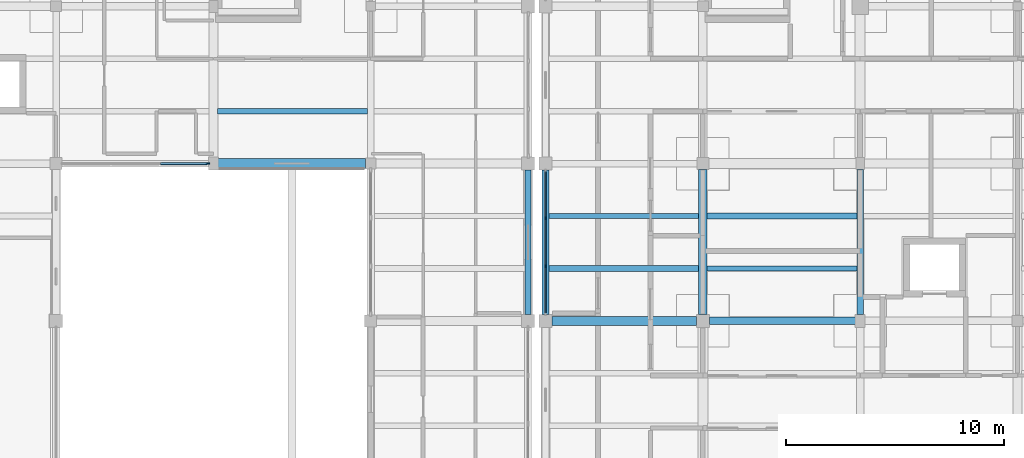
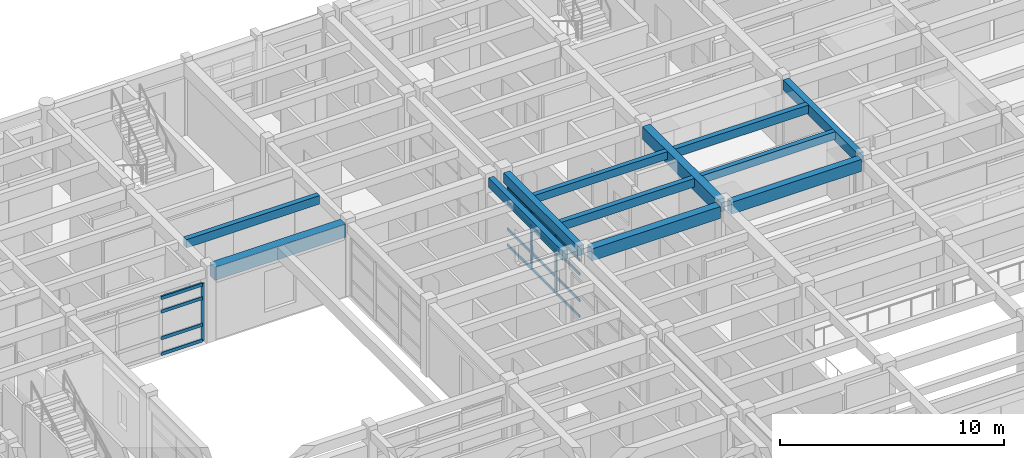
# One storey, part 40 of 110: 19 members, 12 beams, 2 elements without a shape of their own.
"""IFC4 building model written with IfcOpenShell, lengths in metres."""

import ifcopenshell
import ifcopenshell.guid

model = None  # the IFC model being written
_history = None  # IfcOwnerHistory: only IFC2X3 demands one
_inside = {}  # id of a spatial element -> (the spatial element, [elements in it])
_under = {}  # id of a project, library or spatial element -> (it, [spatial elements below it])
_declared = {}  # id of a project -> (the project, [libraries it declares])
_typed = {}  # id of a type object -> (the type object, [elements of that type])
_made_of = {}  # id of a material, layer set ... -> (it, [elements and type objects made of it])


def new_model(schema):
    """Start an empty IFC model of exactly this schema.

    Asked for "IFC4X3", IfcOpenShell would pick the latest addendum, in which some entities
    have other attributes; the version numbers below select the first issue.
    IFC2X3 requires an IfcOwnerHistory on every rooted entity: one is made here for all.
    """
    global model, _history
    if schema == "IFC4X3":
        model = ifcopenshell.file(schema_version=(4, 3, 0, 0))
    else:
        model = ifcopenshell.file(schema=schema)
    _inside.clear()
    _under.clear()
    _declared.clear()
    _typed.clear()
    _made_of.clear()
    _history = None
    if model.schema == "IFC2X3":
        org = make("IfcOrganization", Name="unknown")
        user = make(
            "IfcPersonAndOrganization",
            ThePerson=make("IfcPerson", FamilyName="unknown"),
            TheOrganization=org,
        )
        app = make(
            "IfcApplication",
            ApplicationDeveloper=org,
            Version="unknown",
            ApplicationFullName="unknown",
            ApplicationIdentifier="unknown",
        )
        _history = make(
            "IfcOwnerHistory",
            OwningUser=user,
            OwningApplication=app,
            ChangeAction="ADDED",
            CreationDate=0,
        )
    return model


def make(cls, **values):
    """One entity of the class cls with the attributes given. An attribute that is None is left unset."""
    return model.create_entity(
        cls, **{name: value for name, value in values.items() if value is not None}
    )


def rooted(cls, **values):
    """An entity with a GlobalId (a new one), such as an element, a storey or a relation."""
    return make(cls, GlobalId=ifcopenshell.guid.new(), OwnerHistory=_history, **values)


def si_unit(unit_type, name, prefix=None):
    """IfcSIUnit, for example si_unit("LENGTHUNIT", "METRE", prefix="MILLI")."""
    return make("IfcSIUnit", UnitType=unit_type, Prefix=prefix, Name=name)


def assignment(units):
    """IfcUnitAssignment: the units of a project."""
    return None if units is None else make("IfcUnitAssignment", Units=units)


def point(xyz):
    """IfcCartesianPoint."""
    return None if xyz is None else make("IfcCartesianPoint", Coordinates=xyz)


def direction(xyz):
    """IfcDirection."""
    return None if xyz is None else make("IfcDirection", DirectionRatios=xyz)


def frame(location, z_axis=None, x_axis=None):
    """IfcAxis2Placement3D, a coordinate frame: its origin and axes. An axis left out is left unset."""
    return make(
        "IfcAxis2Placement3D",
        Location=point(location),
        Axis=direction(z_axis),
        RefDirection=direction(x_axis),
    )


def frame_2d(location, x_axis=None):
    """IfcAxis2Placement2D, a coordinate frame in the plane: its origin and x axis."""
    return make(
        "IfcAxis2Placement2D", Location=point(location), RefDirection=direction(x_axis)
    )


def origin():
    """The frame at (0, 0, 0) with its axes left unset."""
    return frame((0.0, 0.0, 0.0))


def origin_2d():
    """The frame at (0, 0) in the plane with its x axis left unset."""
    return frame_2d((0.0, 0.0))


def place(relative_to, where):
    """IfcLocalPlacement: puts the frame where relative to a parent placement (None: the world)."""
    return make(
        "IfcLocalPlacement", PlacementRelTo=relative_to, RelativePlacement=where
    )


def context(
    kind, dimensions, precision=None, world=None, true_north=None, identifier=None
):
    """IfcGeometricRepresentationContext, for example the 3D "Model" context."""
    return make(
        "IfcGeometricRepresentationContext",
        ContextIdentifier=identifier,
        ContextType=kind,
        CoordinateSpaceDimension=dimensions,
        Precision=precision,
        WorldCoordinateSystem=world,
        TrueNorth=true_north,
    )


def subcontext(parent, identifier, kind, view, scale=None):
    """IfcGeometricRepresentationSubContext, for example "Body" below "Model"."""
    return make(
        "IfcGeometricRepresentationSubContext",
        ContextIdentifier=identifier,
        ContextType=kind,
        ParentContext=parent,
        TargetScale=scale,
        TargetView=view,
    )


def project(units=None, contexts=None):
    """IfcProject with its units and contexts."""
    return rooted(
        "IfcProject",
        Name="project",
        RepresentationContexts=contexts,
        UnitsInContext=assignment(units),
    )


def spatial(cls, under=None, at=None, **own):
    """A site, building, storey or space (cls), placed at a placement, below another one or the project."""
    s = rooted(cls, ObjectPlacement=at, **own)
    if under is not None:
        _under.setdefault(under.id(), (under, []))[1].append(s)
    return s


def profile(cls, at=None, kind="AREA", **sizes):
    """A parametric profile (cls). Its sizes go by their IFC names, for example OverallWidth=200.0."""
    return make(cls, ProfileType=kind, Position=at, **sizes)


def rectangle(**sizes):
    """IfcRectangleProfileDef."""
    return profile("IfcRectangleProfileDef", **sizes)


def extrude(swept, where, along, depth):
    """IfcExtrudedAreaSolid: the profile swept, set in the frame where, extruded along a direction by depth."""
    return make(
        "IfcExtrudedAreaSolid",
        SweptArea=swept,
        Position=where,
        ExtrudedDirection=direction(along),
        Depth=depth,
    )


def shape(context_of_items, identifier, shape_type, items):
    """IfcShapeRepresentation: the items that make up one representation, for example the "Body"."""
    return make(
        "IfcShapeRepresentation",
        ContextOfItems=context_of_items,
        RepresentationIdentifier=identifier,
        RepresentationType=shape_type,
        Items=items,
    )


def material(Name=None, Category=None):
    """IfcMaterial."""
    return make("IfcMaterial", Name=Name, Category=Category)


def material_profile(
    of_material, cross_section, Name=None, Category=None, Priority=None
):
    """IfcMaterialProfile: a cross section and its material."""
    return make(
        "IfcMaterialProfile",
        Name=Name,
        Material=of_material,
        Profile=cross_section,
        Priority=Priority,
        Category=Category,
    )


def profile_set(profiles, Name=None, composite=None):
    """IfcMaterialProfileSet."""
    return make(
        "IfcMaterialProfileSet",
        Name=Name,
        MaterialProfiles=profiles,
        CompositeProfile=composite,
    )


def made_of(thing, what):
    """Note that an element or type object is made of a material, layer set ...; save() writes the relation."""
    if what is not None:
        _made_of.setdefault(what.id(), (what, []))[1].append(thing)
    return thing


def type_object(cls, material=None, **own):
    """A type object (cls), such as IfcWallType, which elements share."""
    return made_of(rooted(cls, **own), material)


def element(
    cls,
    number,
    at=None,
    inside=None,
    cuts=None,
    type_object=None,
    material=None,
    context=None,
    identifier="Body",
    shape_type=None,
    held_by="IfcProductDefinitionShape",
    body=None,
    shapes=None,
    **own,
):
    """One element of the class cls, such as IfcWall. Its Tag is "e" and its number.

    at: its placement. inside: the storey or other place that contains it. cuts: it is an
    opening in that element (IfcRelVoidsElement). A single representation is given by context,
    identifier, shape_type and body (its items); several are given by shapes. held_by: the class
    of the entity that holds the representations. save() writes the other relations.
    """
    e = rooted(cls, Tag="e%d" % number, ObjectPlacement=at, **own)
    if body is not None:
        shapes = [shape(context, identifier, shape_type, body)]
    if shapes is not None:
        e.Representation = make(held_by, Representations=shapes)
    if inside is not None:
        _inside.setdefault(inside.id(), (inside, []))[1].append(e)
    if cuts is not None:
        rooted(
            "IfcRelVoidsElement", RelatingBuildingElement=cuts, RelatedOpeningElement=e
        )
    if type_object is not None:
        _typed.setdefault(type_object.id(), (type_object, []))[1].append(e)
    return made_of(e, material)


def aggregate(whole, parts):
    """IfcRelAggregates: a whole, such as a stair, and the parts it consists of."""
    return rooted("IfcRelAggregates", RelatingObject=whole, RelatedObjects=parts)


def save(model, path):
    """Write the relations noted so far, then the file.

    IfcRelAggregates (storeys below a building ...), IfcRelContainedInSpatialStructure (elements
    in a storey), IfcRelDefinesByType, IfcRelAssociatesMaterial and IfcRelDeclares: one each for
    every whole, place, type object, material and project.
    """
    for whole, parts in _under.values():
        aggregate(whole, parts)
    for where, things in _inside.values():
        rooted(
            "IfcRelContainedInSpatialStructure",
            RelatedElements=things,
            RelatingStructure=where,
        )
    for kind, things in _typed.values():
        rooted("IfcRelDefinesByType", RelatedObjects=things, RelatingType=kind)
    for what, things in _made_of.values():
        rooted("IfcRelAssociatesMaterial", RelatedObjects=things, RelatingMaterial=what)
    for by, libraries in _declared.values():
        rooted("IfcRelDeclares", RelatingContext=by, RelatedDefinitions=libraries)
    model.write(path)


model = new_model("IFC4")

# Units and contexts
model_context = context("Model", 3, precision=1e-05, world=origin(), true_north=direction((0.0, 1.0)))
body_context = subcontext(model_context, "Body", "Model", "MODEL_VIEW")
ifc_project = project(units=[si_unit("LENGTHUNIT", "METRE"), si_unit("AREAUNIT", "SQUARE_METRE"), si_unit("VOLUMEUNIT", "CUBIC_METRE"), si_unit("PLANEANGLEUNIT", "RADIAN"), si_unit("MASSUNIT", "GRAM", prefix="KILO")], contexts=[model_context])

# Site, building, storey
site_placement = place(None, origin())
site = spatial("IfcSite", under=ifc_project, at=site_placement, CompositionType="ELEMENT")
building_placement = place(site_placement, origin())
building = spatial("IfcBuilding", under=site, at=building_placement, Name="Steenspoor Specialist Clinic", CompositionType="ELEMENT")
storey_placement = place(building_placement, frame((0.0, 0.0, 4.800048828125)))
storey = spatial("IfcBuildingStorey", under=building, at=storey_placement, Name="L01", CompositionType="ELEMENT", Elevation=4.800048828125)

# Beams
ifc_material_1 = material(Name="Concrete C35/45", Category="concrete")
ifc_material_profile_1 = material_profile(ifc_material_1, rectangle(XDim=0.300048828125, YDim=0.550048828125, at=origin_2d()), Name="RC-BM-300X550")
ifc_profile_set_1 = profile_set([ifc_material_profile_1], Name="Concrete C35/45")
beam_type_1 = type_object("IfcBeamType", Name="BM-RC-300X550", PredefinedType="BEAM", material=ifc_profile_set_1)
beam_1_placement = place(storey_placement, frame((132.39990234375, 87.044921875, 3.675048828125), z_axis=(0.0, 1.0, 0.0), x_axis=(-1.0, 0.0, 0.0)))
element("IfcBeam", 1, at=beam_1_placement, inside=storey, type_object=beam_type_1, Name="BM-V6-L01-Y1525", PredefinedType="BEAM", context=body_context, shape_type="SweptSolid", body=[
    extrude(rectangle(XDim=0.300048828125, YDim=0.550048828125, at=origin_2d()), origin(), (0.0, 0.0, 1.0), 6.635009765625),
])
ifc_material_profile_2 = material_profile(ifc_material_1, rectangle(XDim=0.35009765625, YDim=0.64990234375, at=origin_2d()), Name="RC-BM-350X650")
ifc_profile_set_2 = profile_set([ifc_material_profile_2], Name="Concrete C35/45")
beam_type_2 = type_object("IfcBeamType", Name="BM-RC-350X650", PredefinedType="BEAM", material=ifc_profile_set_2)
beam_2_placement = place(storey_placement, frame((125.4951171875, 86.75, 3.625), z_axis=(1.0, 0.0, 0.0), x_axis=(0.0, 1.0, 0.0)))
element("IfcBeam", 2, at=beam_2_placement, inside=storey, type_object=beam_type_2, Name="BM-V6-L01-X1494", PredefinedType="BEAM", context=body_context, shape_type="SweptSolid", body=[
    extrude(rectangle(XDim=0.35009765625, YDim=0.64990234375, at=origin_2d()), origin(), (0.0, 0.0, 1.0), 6.684814453125),
])
ifc_material_profile_3 = material_profile(ifc_material_1, rectangle(XDim=0.39990234375, YDim=0.64990234375, at=origin_2d()), Name="RC-BM-400X650")
ifc_profile_set_3 = profile_set([ifc_material_profile_3], Name="Concrete C35/45")
beam_type_3 = type_object("IfcBeamType", Name="BM-RC-400X650", PredefinedType="BEAM", material=ifc_profile_set_3)
beam_3_placement = place(storey_placement, frame((118.294921875, 86.75, 3.625), z_axis=(1.0, 0.0, 0.0), x_axis=(0.0, 1.0, 0.0)))
element("IfcBeam", 3, at=beam_3_placement, inside=storey, type_object=beam_type_3, Name="BM-V6-L01-X1493", PredefinedType="BEAM", context=body_context, shape_type="SweptSolid", body=[
    extrude(rectangle(XDim=0.39990234375, YDim=0.64990234375, at=origin_2d()), origin(), (0.0, 0.0, 1.0), 6.610107421875),
])
ifc_material_profile_4 = material_profile(ifc_material_1, rectangle(XDim=0.39990234375, YDim=0.699951171875, at=origin_2d()), Name="RC-BM-400X700")
ifc_profile_set_4 = profile_set([ifc_material_profile_4], Name="Concrete C35/45")
beam_type_4 = type_object("IfcBeamType", Name="BM-RC-400X700", PredefinedType="BEAM", material=ifc_profile_set_4)
beam_4_placement = place(storey_placement, frame((125.199951171875, 87.044921875, 3.599853515625), z_axis=(0.0, 1.0, 0.0), x_axis=(-1.0, 0.0, 0.0)))
element("IfcBeam", 4, at=beam_4_placement, inside=storey, type_object=beam_type_4, Name="BM-V6-L01-Y1519", PredefinedType="BEAM", context=body_context, shape_type="SweptSolid", body=[
    extrude(rectangle(XDim=0.39990234375, YDim=0.699951171875, at=origin_2d()), origin(), (0.0, 0.0, 1.0), 6.635009765625),
])
ifc_material_profile_5 = material_profile(ifc_material_1, rectangle(XDim=0.449951171875, YDim=0.719970703125, at=origin_2d()), Name="RC-BM-450X720")
ifc_profile_set_5 = profile_set([ifc_material_profile_5], Name="Concrete C35/45")
beam_type_5 = type_object("IfcBeamType", Name="BM-RC-450X720", PredefinedType="BEAM", material=ifc_profile_set_5)
beam_5_placement = place(storey_placement, frame((103.02001953125, 93.949951171875, 3.58984375), z_axis=(1.0, 0.0, 0.0), x_axis=(0.0, 1.0, 0.0)))
element("IfcBeam", 5, at=beam_5_placement, inside=storey, type_object=beam_type_5, Name="BM-V4-L01-X0504", PredefinedType="BEAM", context=body_context, shape_type="SweptSolid", body=[
    extrude(rectangle(XDim=0.449951171875, YDim=0.719970703125, at=origin_2d()), origin(), (0.0, 0.0, 1.0), 6.73486328125),
])

# Curtain wall, members
ifc_material_2 = material(Name="Thermally broken aluminium and low-emissivity glass", Category="aluminium")
curtain_wall_type_1 = type_object("IfcCurtainWallType", Name="CW-TYP-660X355", PredefinedType="USERDEFINED", material=ifc_material_2)
curtain_wall_1_placement = place(storey_placement, origin())
curtain_wall_1 = element("IfcCurtainWall", 6, at=curtain_wall_1_placement, inside=storey, type_object=curtain_wall_type_1, Name="Unitised Curtain Wall CW-V6-L01-177", ObjectType="UNITISED GLAZING", PredefinedType="USERDEFINED")
ifc_material_3 = material(Name="Thermally broken aluminium 6063-T6", Category="aluminium")
ifc_material_profile_6 = material_profile(ifc_material_3, rectangle(XDim=0.06494140625, YDim=0.14990234375, at=origin_2d()), Name="CWM-65X150")
ifc_profile_set_6 = profile_set([ifc_material_profile_6], Name="Thermally broken aluminium 6063-T6")
member_type_1 = type_object("IfcMemberType", Name="CW-MULL-65X150", PredefinedType="MULLION", material=ifc_profile_set_6)
member_1_placement = place(storey_placement, frame((118.0, 89.25, 0.0), z_axis=(0.0, 0.0, 1.0), x_axis=(-1.0, 0.0, 0.0)))
member_1 = element("IfcMember", 7, at=member_1_placement, type_object=member_type_1, Name="CW-09 mullion 2", PredefinedType="MULLION", context=body_context, shape_type="SweptSolid", body=[
    extrude(rectangle(XDim=0.06494140625, YDim=0.14990234375, at=origin_2d()), origin(), (0.0, 0.0, 1.0), 3.1298828125),
])
member_2_placement = place(storey_placement, frame((118.0, 91.449951171875, 0.0), z_axis=(0.0, 0.0, 1.0), x_axis=(-1.0, 0.0, 0.0)))
member_2 = element("IfcMember", 8, at=member_2_placement, type_object=member_type_1, Name="CW-09 mullion 3", PredefinedType="MULLION", context=body_context, shape_type="SweptSolid", body=[
    extrude(rectangle(XDim=0.06494140625, YDim=0.14990234375, at=origin_2d()), origin(), (0.0, 0.0, 1.0), 3.1298828125),
])

# Curtain wall, member
curtain_wall_type_2 = type_object("IfcCurtainWallType", Name="CW-L00-360X415", PredefinedType="USERDEFINED", material=ifc_material_2)
curtain_wall_2_placement = place(storey_placement, origin())
curtain_wall_2 = element("IfcCurtainWall", 9, at=curtain_wall_2_placement, inside=storey, type_object=curtain_wall_type_2, Name="Unitised Curtain Wall CW-V4-L01-079", ObjectType="UNITISED GLAZING", PredefinedType="USERDEFINED")
ifc_material_profile_7 = material_profile(ifc_material_3, rectangle(XDim=0.080078125, YDim=0.179931640625, at=origin_2d()), Name="CWM-80X180")
ifc_profile_set_7 = profile_set([ifc_material_profile_7], Name="Thermally broken aluminium 6063-T6")
member_type_2 = type_object("IfcMemberType", Name="CW-MULL-80X180", PredefinedType="MULLION", material=ifc_profile_set_7)
member_3_placement = place(storey_placement, frame((102.534912109375, 93.949951171875, 0.0), z_axis=(0.0, 0.0, 1.0), x_axis=(0.0, -1.0, 0.0)))
member_3 = element("IfcMember", 10, at=member_3_placement, type_object=member_type_2, Name="CW-07 mullion 1", PredefinedType="MULLION", context=body_context, shape_type="SweptSolid", body=[
    extrude(rectangle(XDim=0.080078125, YDim=0.179931640625, at=origin_2d()), origin(), (0.0, 0.0, 1.0), 3.1298828125),
])

# Member
ifc_material_profile_8 = material_profile(ifc_material_3, rectangle(XDim=0.06494140625, YDim=0.1298828125, at=origin_2d()), Name="CWT-65X130")
ifc_profile_set_8 = profile_set([ifc_material_profile_8], Name="Thermally broken aluminium 6063-T6")
member_type_3 = type_object("IfcMemberType", Name="CW-TRAN-65X130", PredefinedType="USERDEFINED", material=ifc_profile_set_8)
member_4_placement = place(storey_placement, frame((118.0, 87.114990234375, 0.032470703125), z_axis=(0.0, 1.0, 0.0), x_axis=(-1.0, 0.0, 0.0)))
member_4 = element("IfcMember", 11, at=member_4_placement, type_object=member_type_3, Name="CW-09 transom 1.1", ObjectType="TRANSOM", PredefinedType="USERDEFINED", context=body_context, shape_type="SweptSolid", body=[
    extrude(rectangle(XDim=0.06494140625, YDim=0.1298828125, at=origin_2d()), origin(), (0.0, 0.0, 1.0), 2.1025390625),
])

member_5_placement = place(storey_placement, frame((118.0, 87.114990234375, 0.89990234375), z_axis=(0.0, 1.0, 0.0), x_axis=(-1.0, 0.0, 0.0)))
member_5 = element("IfcMember", 12, at=member_5_placement, type_object=member_type_3, Name="CW-09 transom 1.2", ObjectType="TRANSOM", PredefinedType="USERDEFINED", context=body_context, shape_type="SweptSolid", body=[
    extrude(rectangle(XDim=0.06494140625, YDim=0.1298828125, at=origin_2d()), origin(), (0.0, 0.0, 1.0), 2.1025390625),
])

member_6_placement = place(storey_placement, frame((118.0, 87.114990234375, 2.349853515625), z_axis=(0.0, 1.0, 0.0), x_axis=(-1.0, 0.0, 0.0)))
member_6 = element("IfcMember", 13, at=member_6_placement, type_object=member_type_3, Name="CW-09 transom 1.3", ObjectType="TRANSOM", PredefinedType="USERDEFINED", context=body_context, shape_type="SweptSolid", body=[
    extrude(rectangle(XDim=0.06494140625, YDim=0.1298828125, at=origin_2d()), origin(), (0.0, 0.0, 1.0), 2.1025390625),
])

member_7_placement = place(storey_placement, frame((118.0, 87.114990234375, 3.097412109375), z_axis=(0.0, 1.0, 0.0), x_axis=(-1.0, 0.0, 0.0)))
member_7 = element("IfcMember", 14, at=member_7_placement, type_object=member_type_3, Name="CW-09 transom 1.4", ObjectType="TRANSOM", PredefinedType="USERDEFINED", context=body_context, shape_type="SweptSolid", body=[
    extrude(rectangle(XDim=0.06494140625, YDim=0.1298828125, at=origin_2d()), origin(), (0.0, 0.0, 1.0), 2.1025390625),
])

member_8_placement = place(storey_placement, frame((118.0, 89.282470703125, 0.032470703125), z_axis=(0.0, 1.0, 0.0), x_axis=(-1.0, 0.0, 0.0)))
member_8 = element("IfcMember", 15, at=member_8_placement, type_object=member_type_3, Name="CW-09 transom 2.1", ObjectType="TRANSOM", PredefinedType="USERDEFINED", context=body_context, shape_type="SweptSolid", body=[
    extrude(rectangle(XDim=0.06494140625, YDim=0.1298828125, at=origin_2d()), origin(), (0.0, 0.0, 1.0), 2.135009765625),
])

member_9_placement = place(storey_placement, frame((118.0, 89.282470703125, 0.89990234375), z_axis=(0.0, 1.0, 0.0), x_axis=(-1.0, 0.0, 0.0)))
member_9 = element("IfcMember", 16, at=member_9_placement, type_object=member_type_3, Name="CW-09 transom 2.2", ObjectType="TRANSOM", PredefinedType="USERDEFINED", context=body_context, shape_type="SweptSolid", body=[
    extrude(rectangle(XDim=0.06494140625, YDim=0.1298828125, at=origin_2d()), origin(), (0.0, 0.0, 1.0), 2.135009765625),
])

member_10_placement = place(storey_placement, frame((118.0, 89.282470703125, 2.349853515625), z_axis=(0.0, 1.0, 0.0), x_axis=(-1.0, 0.0, 0.0)))
member_10 = element("IfcMember", 17, at=member_10_placement, type_object=member_type_3, Name="CW-09 transom 2.3", ObjectType="TRANSOM", PredefinedType="USERDEFINED", context=body_context, shape_type="SweptSolid", body=[
    extrude(rectangle(XDim=0.06494140625, YDim=0.1298828125, at=origin_2d()), origin(), (0.0, 0.0, 1.0), 2.135009765625),
])

member_11_placement = place(storey_placement, frame((118.0, 89.282470703125, 3.097412109375), z_axis=(0.0, 1.0, 0.0), x_axis=(-1.0, 0.0, 0.0)))
member_11 = element("IfcMember", 18, at=member_11_placement, type_object=member_type_3, Name="CW-09 transom 2.4", ObjectType="TRANSOM", PredefinedType="USERDEFINED", context=body_context, shape_type="SweptSolid", body=[
    extrude(rectangle(XDim=0.06494140625, YDim=0.1298828125, at=origin_2d()), origin(), (0.0, 0.0, 1.0), 2.135009765625),
])

member_12_placement = place(storey_placement, frame((118.0, 91.482421875, 0.032470703125), z_axis=(0.0, 1.0, 0.0), x_axis=(-1.0, 0.0, 0.0)))
member_12 = element("IfcMember", 19, at=member_12_placement, type_object=member_type_3, Name="CW-09 transom 3.1", ObjectType="TRANSOM", PredefinedType="USERDEFINED", context=body_context, shape_type="SweptSolid", body=[
    extrude(rectangle(XDim=0.06494140625, YDim=0.1298828125, at=origin_2d()), origin(), (0.0, 0.0, 1.0), 2.1025390625),
])

member_13_placement = place(storey_placement, frame((118.0, 91.482421875, 0.89990234375), z_axis=(0.0, 1.0, 0.0), x_axis=(-1.0, 0.0, 0.0)))
member_13 = element("IfcMember", 20, at=member_13_placement, type_object=member_type_3, Name="CW-09 transom 3.2", ObjectType="TRANSOM", PredefinedType="USERDEFINED", context=body_context, shape_type="SweptSolid", body=[
    extrude(rectangle(XDim=0.06494140625, YDim=0.1298828125, at=origin_2d()), origin(), (0.0, 0.0, 1.0), 2.1025390625),
])

member_14_placement = place(storey_placement, frame((118.0, 91.482421875, 2.349853515625), z_axis=(0.0, 1.0, 0.0), x_axis=(-1.0, 0.0, 0.0)))
member_14 = element("IfcMember", 21, at=member_14_placement, type_object=member_type_3, Name="CW-09 transom 3.3", ObjectType="TRANSOM", PredefinedType="USERDEFINED", context=body_context, shape_type="SweptSolid", body=[
    extrude(rectangle(XDim=0.06494140625, YDim=0.1298828125, at=origin_2d()), origin(), (0.0, 0.0, 1.0), 2.1025390625),
])

member_15_placement = place(storey_placement, frame((118.0, 91.482421875, 3.097412109375), z_axis=(0.0, 1.0, 0.0), x_axis=(-1.0, 0.0, 0.0)))
member_15 = element("IfcMember", 22, at=member_15_placement, type_object=member_type_3, Name="CW-09 transom 3.4", ObjectType="TRANSOM", PredefinedType="USERDEFINED", context=body_context, shape_type="SweptSolid", body=[
    extrude(rectangle(XDim=0.06494140625, YDim=0.1298828125, at=origin_2d()), origin(), (0.0, 0.0, 1.0), 2.1025390625),
])

aggregate(curtain_wall_1, [member_1, member_2, member_4, member_5, member_6, member_7, member_8, member_9, member_10, member_11, member_12, member_13, member_14, member_15])

ifc_material_profile_9 = material_profile(ifc_material_3, rectangle(XDim=0.090087890625, YDim=0.175048828125, at=origin_2d()), Name="CWT-90X175")
ifc_profile_set_9 = profile_set([ifc_material_profile_9], Name="Thermally broken aluminium 6063-T6")
member_type_4 = type_object("IfcMemberType", Name="CW-TRAN-90X175", PredefinedType="USERDEFINED", material=ifc_profile_set_9)
member_16_placement = place(storey_placement, frame((102.4951171875, 93.949951171875, 0.044921875), z_axis=(-1.0, 0.0, 0.0), x_axis=(0.0, -1.0, 0.0)))
member_16 = element("IfcMember", 23, at=member_16_placement, type_object=member_type_4, Name="CW-07 transom 1.1", ObjectType="TRANSOM", PredefinedType="USERDEFINED", context=body_context, shape_type="SweptSolid", body=[
    extrude(rectangle(XDim=0.090087890625, YDim=0.175048828125, at=origin_2d()), origin(), (0.0, 0.0, 1.0), 2.113525390625),
])

member_17_placement = place(storey_placement, frame((102.4951171875, 93.949951171875, 0.89990234375), z_axis=(-1.0, 0.0, 0.0), x_axis=(0.0, -1.0, 0.0)))
member_17 = element("IfcMember", 24, at=member_17_placement, type_object=member_type_4, Name="CW-07 transom 1.2", ObjectType="TRANSOM", PredefinedType="USERDEFINED", context=body_context, shape_type="SweptSolid", body=[
    extrude(rectangle(XDim=0.090087890625, YDim=0.175048828125, at=origin_2d()), origin(), (0.0, 0.0, 1.0), 2.113525390625),
])

member_18_placement = place(storey_placement, frame((102.4951171875, 93.949951171875, 2.349853515625), z_axis=(-1.0, 0.0, 0.0), x_axis=(0.0, -1.0, 0.0)))
member_18 = element("IfcMember", 25, at=member_18_placement, type_object=member_type_4, Name="CW-07 transom 1.3", ObjectType="TRANSOM", PredefinedType="USERDEFINED", context=body_context, shape_type="SweptSolid", body=[
    extrude(rectangle(XDim=0.090087890625, YDim=0.175048828125, at=origin_2d()), origin(), (0.0, 0.0, 1.0), 2.113525390625),
])

member_19_placement = place(storey_placement, frame((102.4951171875, 93.949951171875, 3.0849609375), z_axis=(-1.0, 0.0, 0.0), x_axis=(0.0, -1.0, 0.0)))
member_19 = element("IfcMember", 26, at=member_19_placement, type_object=member_type_4, Name="CW-07 transom 1.4", ObjectType="TRANSOM", PredefinedType="USERDEFINED", context=body_context, shape_type="SweptSolid", body=[
    extrude(rectangle(XDim=0.090087890625, YDim=0.175048828125, at=origin_2d()), origin(), (0.0, 0.0, 1.0), 2.113525390625),
])

aggregate(curtain_wall_2, [member_3, member_16, member_17, member_18, member_19])

# Beams
ifc_material_profile_10 = material_profile(ifc_material_1, rectangle(XDim=0.239990234375, YDim=0.419921875, at=origin_2d()), Name="RC-JT-240X420")
ifc_profile_set_10 = profile_set([ifc_material_profile_10], Name="Concrete C35/45")
beam_type_6 = type_object("IfcBeamType", Name="JT-RC-240X420", PredefinedType="JOIST", material=ifc_profile_set_10)
beam_6_placement = place(storey_placement, frame((118.155029296875, 91.550048828125, 3.739990234375), z_axis=(1.0, 0.0, 0.0), x_axis=(0.0, 1.0, 0.0)))
element("IfcBeam", 27, at=beam_6_placement, inside=storey, type_object=beam_type_6, Name="JT-V6-L01-1551", PredefinedType="JOIST", context=body_context, shape_type="SweptSolid", body=[
    extrude(rectangle(XDim=0.239990234375, YDim=0.419921875, at=origin_2d()), origin(), (0.0, 0.0, 1.0), 6.849853515625),
])
beam_7_placement = place(storey_placement, frame((125.39501953125, 89.14990234375, 3.739990234375), z_axis=(1.0, 0.0, 0.0), x_axis=(0.0, 1.0, 0.0)))
element("IfcBeam", 28, at=beam_7_placement, inside=storey, type_object=beam_type_6, Name="JT-V6-L01-1562", PredefinedType="JOIST", context=body_context, shape_type="SweptSolid", body=[
    extrude(rectangle(XDim=0.239990234375, YDim=0.419921875, at=origin_2d()), origin(), (0.0, 0.0, 1.0), 6.85986328125),
])
ifc_material_profile_11 = material_profile(ifc_material_1, rectangle(XDim=0.260009765625, YDim=0.4599609375, at=origin_2d()), Name="RC-JT-260X460")
ifc_profile_set_11 = profile_set([ifc_material_profile_11], Name="Concrete C35/45")
beam_type_7 = type_object("IfcBeamType", Name="JT-RC-260X460", PredefinedType="JOIST", material=ifc_profile_set_11)
beam_8_placement = place(storey_placement, frame((102.9951171875, 96.35009765625, 3.719970703125), z_axis=(1.0, 0.0, 0.0), x_axis=(0.0, 1.0, 0.0)))
element("IfcBeam", 29, at=beam_8_placement, inside=storey, type_object=beam_type_7, Name="JT-V4-L01-0628", PredefinedType="JOIST", context=body_context, shape_type="SweptSolid", body=[
    extrude(rectangle(XDim=0.260009765625, YDim=0.4599609375, at=origin_2d()), origin(), (0.0, 0.0, 1.0), 6.85986328125),
])
beam_9_placement = place(storey_placement, frame((118.155029296875, 89.14990234375, 3.719970703125), z_axis=(1.0, 0.0, 0.0), x_axis=(0.0, 1.0, 0.0)))
element("IfcBeam", 30, at=beam_9_placement, inside=storey, type_object=beam_type_7, Name="JT-V6-L01-1550", PredefinedType="JOIST", context=body_context, shape_type="SweptSolid", body=[
    extrude(rectangle(XDim=0.260009765625, YDim=0.4599609375, at=origin_2d()), origin(), (0.0, 0.0, 1.0), 6.849853515625),
])
beam_10_placement = place(storey_placement, frame((125.39501953125, 91.550048828125, 3.719970703125), z_axis=(1.0, 0.0, 0.0), x_axis=(0.0, 1.0, 0.0)))
element("IfcBeam", 31, at=beam_10_placement, inside=storey, type_object=beam_type_7, Name="JT-V6-L01-1563", PredefinedType="JOIST", context=body_context, shape_type="SweptSolid", body=[
    extrude(rectangle(XDim=0.260009765625, YDim=0.4599609375, at=origin_2d()), origin(), (0.0, 0.0, 1.0), 6.85986328125),
])
ifc_material_profile_12 = material_profile(ifc_material_1, rectangle(XDim=0.280029296875, YDim=0.5, at=origin_2d()), Name="RC-SP-280X500")
ifc_profile_set_12 = profile_set([ifc_material_profile_12], Name="Concrete C35/45")
beam_type_8 = type_object("IfcBeamType", Name="SP-RC-280X500", PredefinedType="SPANDREL", material=ifc_profile_set_12)
beam_11_placement = place(storey_placement, frame((117.199951171875, 87.044921875, 3.699951171875), z_axis=(0.0, 1.0, 0.0), x_axis=(-1.0, 0.0, 0.0)))
element("IfcBeam", 32, at=beam_11_placement, inside=storey, type_object=beam_type_8, Name="BM-V4-L01-Y0570", PredefinedType="SPANDREL", context=body_context, shape_type="SweptSolid", body=[
    extrude(rectangle(XDim=0.280029296875, YDim=0.5, at=origin_2d()), origin(), (0.0, 0.0, 1.0), 6.610107421875),
])
ifc_material_profile_13 = material_profile(ifc_material_1, rectangle(XDim=0.320068359375, YDim=0.5400390625, at=origin_2d()), Name="RC-SP-320X540")
ifc_profile_set_13 = profile_set([ifc_material_profile_13], Name="Concrete C35/45")
beam_type_9 = type_object("IfcBeamType", Name="SP-RC-320X540", PredefinedType="SPANDREL", material=ifc_profile_set_13)
beam_12_placement = place(storey_placement, frame((118.0, 87.044921875, 3.679931640625), z_axis=(0.0, 1.0, 0.0), x_axis=(-1.0, 0.0, 0.0)))
element("IfcBeam", 33, at=beam_12_placement, inside=storey, type_object=beam_type_9, Name="BM-V6-L01-Y1513", PredefinedType="SPANDREL", context=body_context, shape_type="SweptSolid", body=[
    extrude(rectangle(XDim=0.320068359375, YDim=0.5400390625, at=origin_2d()), origin(), (0.0, 0.0, 1.0), 6.610107421875),
])

save(model, "model.ifc")
